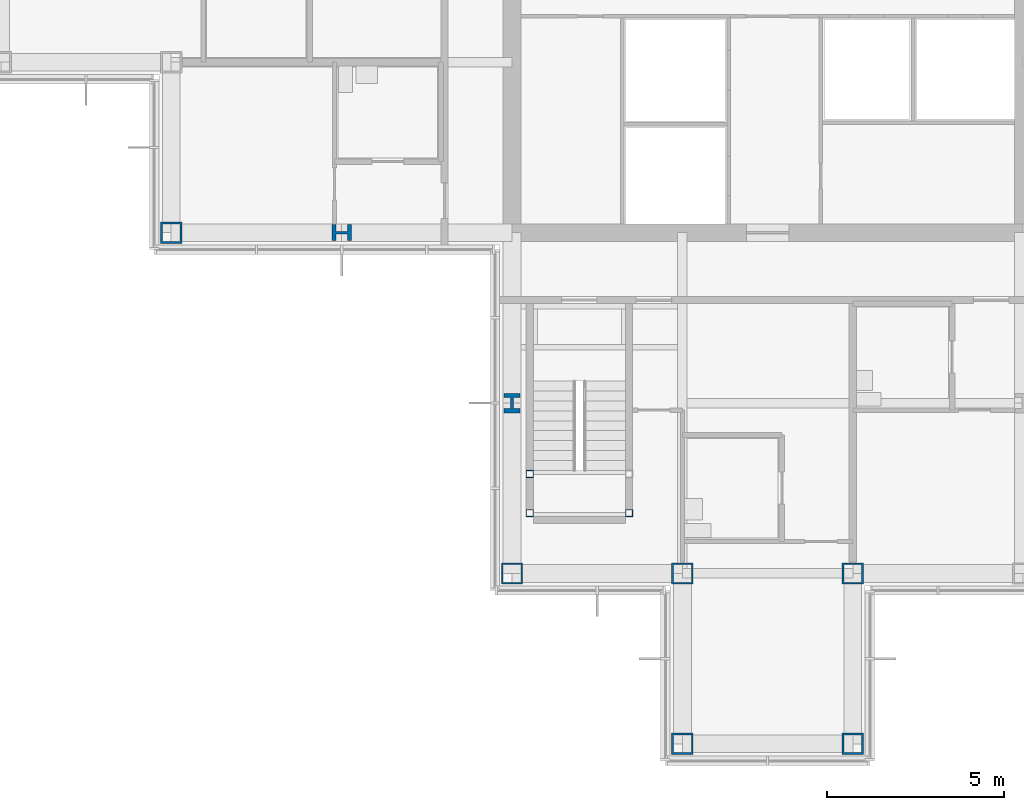
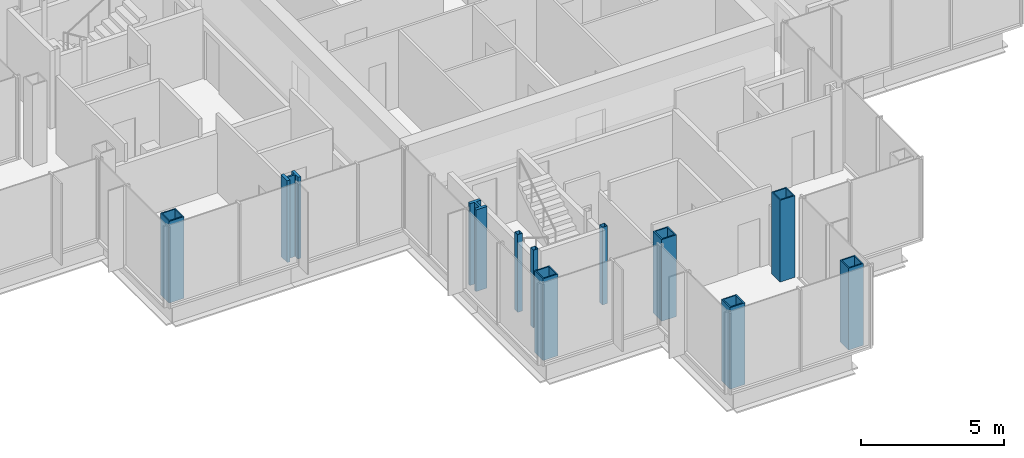
# One storey, part 1 of 15: 11 columns.
"""IFC4 building model written with IfcOpenShell, lengths in metres."""

from ifc_helpers import new_model, si_unit, direction, frame, origin, origin_2d, place, context, subcontext, project, spatial, hollow_rectangle, i_section, extrude, material, material_profile, profile_set, type_object, element, save


model = new_model("IFC4")

# Units and contexts
model_context = context("Model", 3, precision=1e-05, world=origin(), true_north=direction((0.0, 1.0)))
body_context = subcontext(model_context, "Body", "Model", "MODEL_VIEW")
ifc_project = project(units=[si_unit("LENGTHUNIT", "METRE"), si_unit("AREAUNIT", "SQUARE_METRE"), si_unit("VOLUMEUNIT", "CUBIC_METRE"), si_unit("PLANEANGLEUNIT", "RADIAN"), si_unit("MASSUNIT", "GRAM", prefix="KILO")], contexts=[model_context])

# Site, building, storey
site_placement = place(None, origin())
site = spatial("IfcSite", under=ifc_project, at=site_placement, CompositionType="ELEMENT")
building_placement = place(site_placement, origin())
building = spatial("IfcBuilding", under=site, at=building_placement, Name="Kvirike Care Tower", CompositionType="ELEMENT")
storey_placement = place(building_placement, frame((0.0, 0.0, 226.0)))
storey = spatial("IfcBuildingStorey", under=building, at=storey_placement, Name="L62", CompositionType="ELEMENT", Elevation=226.0)

# Columns
ifc_material_1 = material(Name="Steel S460", Category="steel")
ifc_material_profile_1 = material_profile(ifc_material_1, hollow_rectangle(XDim=0.60009765625, YDim=0.60009765625, WallThickness=0.050048828125, at=origin_2d()), Name="BX 600x600x50")
ifc_profile_set_1 = profile_set([ifc_material_profile_1], Name="Steel S460")
column_type_1 = type_object("IfcColumnType", Name="COLUMN BX 600x600x50", PredefinedType="COLUMN", material=ifc_profile_set_1)
for number, where, z_axis, x_axis, name in (
    (1, (4.800048828125, 28.800048828125, 0.0), (0.0, 0.0, 1.0), (0.0, 1.0, 0.0), "Column G4 L62"),
    (2, (14.39990234375, 19.199951171875, 0.0), (0.0, 0.0, 1.0), (0.0, 1.0, 0.0), "Column E6 L62"),
    (3, (19.199951171875, 14.39990234375, 0.0), (0.0, 0.0, 1.0), (0.0, 1.0, 0.0), "Column D7 L62"),
    (4, (19.199951171875, 19.199951171875, 0.0), (0.0, 0.0, 1.0), (0.0, 1.0, 0.0), "Column E7 L62"),
    (5, (24.0, 14.39990234375, 0.0), (0.0, 0.0, 1.0), (0.0, 1.0, 0.0), "Column D8 L62"),
    (6, (24.0, 19.199951171875, 0.0), (0.0, 0.0, 1.0), (0.0, 1.0, 0.0), "Column E8 L62"),
):
    element("IfcColumn", number, at=place(storey_placement, frame(where, z_axis=z_axis, x_axis=x_axis)), inside=storey, type_object=column_type_1, Name=name, PredefinedType="COLUMN", context=body_context, shape_type="SweptSolid", body=[
        extrude(hollow_rectangle(XDim=0.60009765625, YDim=0.60009765625, WallThickness=0.050048828125, at=origin_2d()), origin(), (0.0, 0.0, 1.0), 3.5),
    ])
ifc_material_2 = material(Name="Steel S460", Category="steel")
ifc_material_profile_2 = material_profile(ifc_material_2, i_section(OverallWidth=0.447998046875, OverallDepth=0.550048828125, WebThickness=0.072021484375, FlangeThickness=0.114990234375, FilletRadius=0.014892578125, at=origin_2d()), Name="HD 400x990")
ifc_profile_set_2 = profile_set([ifc_material_profile_2], Name="Steel S460")
column_type_2 = type_object("IfcColumnType", Name="COLUMN HD 400x990", PredefinedType="COLUMN", material=ifc_profile_set_2)
for number, where, z_axis, x_axis, name in (
    (7, (9.60009765625, 28.800048828125, 0.0), (0.0, 0.0, 1.0), (0.0, 1.0, 0.0), "Column G5 L62"),
    (8, (14.39990234375, 24.0, 0.0), (0.0, 0.0, 1.0), (1.0, 0.0, 0.0), "Column F6 L62"),
):
    element("IfcColumn", number, at=place(storey_placement, frame(where, z_axis=z_axis, x_axis=x_axis)), inside=storey, type_object=column_type_2, Name=name, PredefinedType="COLUMN", context=body_context, shape_type="SweptSolid", body=[
        extrude(i_section(OverallWidth=0.447998046875, OverallDepth=0.550048828125, WebThickness=0.072021484375, FlangeThickness=0.114990234375, FilletRadius=0.014892578125, at=origin_2d()), origin(), (0.0, 0.0, 1.0), 3.5),
    ])
ifc_material_3 = material(Name="Steel S460", Category="steel")
ifc_material_profile_3 = material_profile(ifc_material_3, hollow_rectangle(XDim=0.199951171875, YDim=0.199951171875, WallThickness=0.008056640625, at=origin_2d()), Name="SHS 200x200x8")
ifc_profile_set_3 = profile_set([ifc_material_profile_3], Name="Steel S460")
column_type_3 = type_object("IfcColumnType", Name="STAIR POST SHS 200x200x8", PredefinedType="COLUMN", material=ifc_profile_set_3)
for number, where, z_axis, x_axis, name in (
    (9, (14.89990234375, 20.89990234375, 0.0), (0.0, 0.0, 1.0), (1.0, 0.0, 0.0), "Stair 5 post 1 L62"),
    (10, (17.699951171875, 20.89990234375, 0.0), (0.0, 0.0, 1.0), (1.0, 0.0, 0.0), "Stair 5 post 2 L62"),
    (11, (14.89990234375, 22.0, 0.0), (0.0, 0.0, 1.0), (1.0, 0.0, 0.0), "Stair 5 post 3 L62"),
):
    element("IfcColumn", number, at=place(storey_placement, frame(where, z_axis=z_axis, x_axis=x_axis)), inside=storey, type_object=column_type_3, Name=name, PredefinedType="COLUMN", context=body_context, shape_type="SweptSolid", body=[
        extrude(hollow_rectangle(XDim=0.199951171875, YDim=0.199951171875, WallThickness=0.008056640625, at=origin_2d()), origin(), (0.0, 0.0, 1.0), 3.330078125),
    ])

save(model, "model.ifc")
